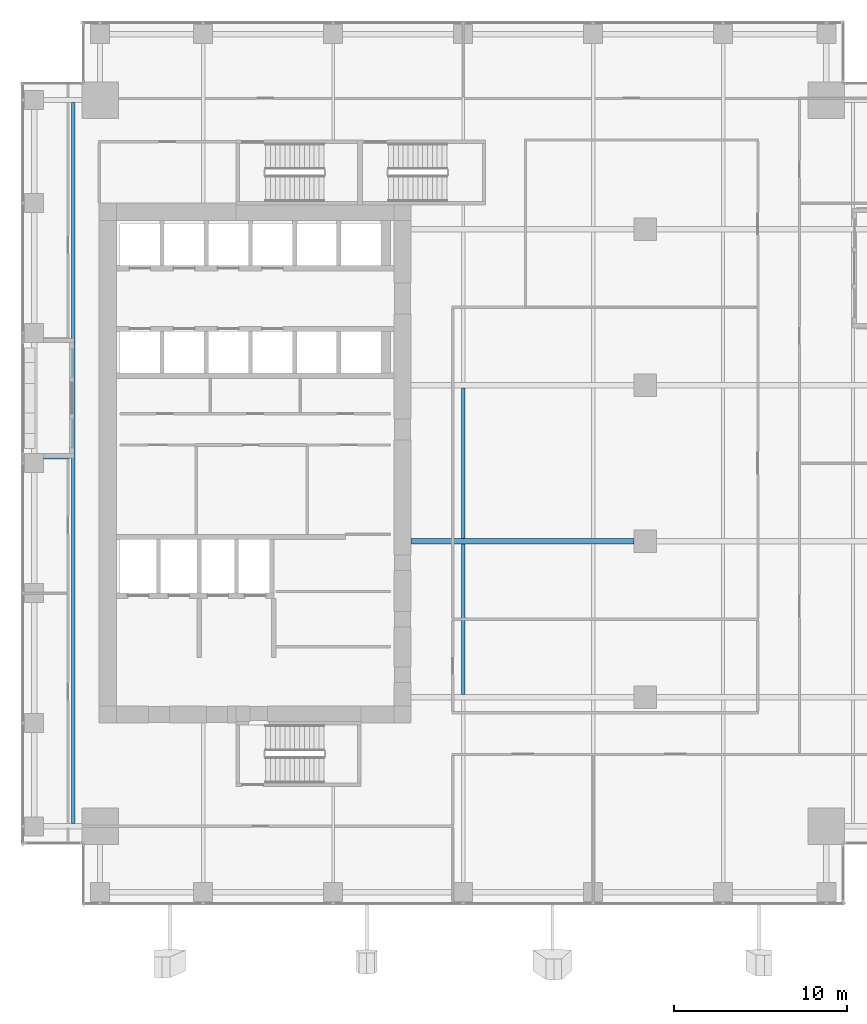
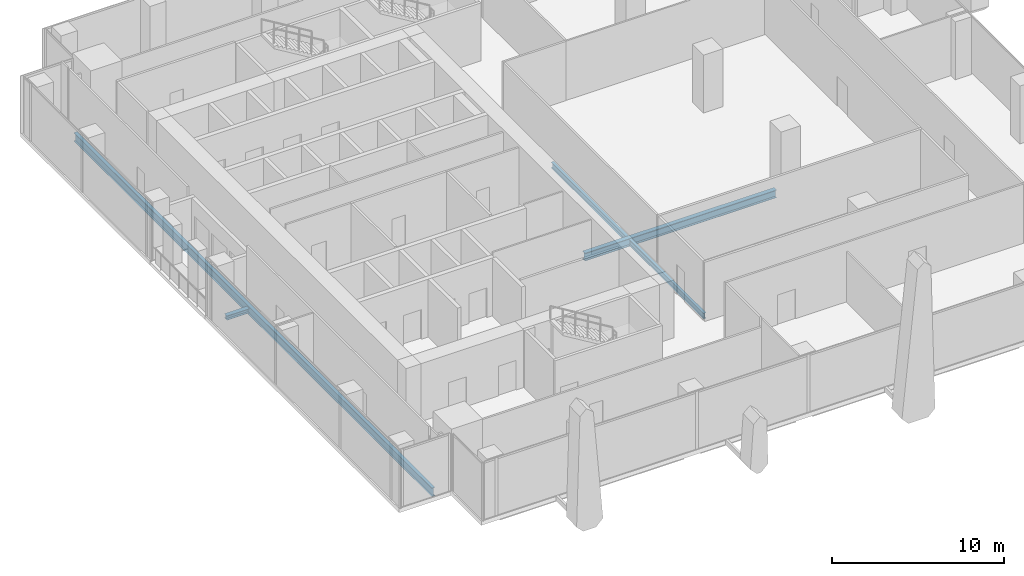
# One storey, part 8 of 35: 5 beams.
"""IFC4 building model written with IfcOpenShell, lengths in metres."""

from ifc_helpers import new_model, si_unit, direction, frame, origin, origin_2d, place, context, subcontext, project, spatial, i_section, extrude, source, transform, mapped, material, material_profile, profile_set, type_object, element, save


model = new_model("IFC4")

# Units and contexts
model_context = context("Model", 3, precision=1e-05, world=origin(), true_north=direction((0.0, 1.0)))
body_context = subcontext(model_context, "Body", "Model", "MODEL_VIEW")
ifc_project = project(units=[si_unit("LENGTHUNIT", "METRE"), si_unit("AREAUNIT", "SQUARE_METRE"), si_unit("VOLUMEUNIT", "CUBIC_METRE"), si_unit("PLANEANGLEUNIT", "RADIAN"), si_unit("MASSUNIT", "GRAM", prefix="KILO")], contexts=[model_context])

# Site, building, storey
site_placement = place(None, origin())
site = spatial("IfcSite", under=ifc_project, at=site_placement, CompositionType="ELEMENT")
building_placement = place(site_placement, origin())
building = spatial("IfcBuilding", under=site, at=building_placement, Name="Khomas Fold Tower", CompositionType="ELEMENT")
storey_placement = place(building_placement, frame((0.0, 0.0, 136.699951171875)))
storey = spatial("IfcBuildingStorey", under=building, at=storey_placement, Name="L29", CompositionType="ELEMENT", Elevation=136.699951171875)

# Beams
ifc_material_1 = material(Name="Steel S355", Category="steel")
ifc_material_profile_1 = material_profile(ifc_material_1, i_section(OverallWidth=0.179931640625, OverallDepth=0.39990234375, WebThickness=0.008544921875, FlangeThickness=0.013427734375, at=origin_2d()), Name="IPE 400")
ifc_profile_set_1 = profile_set([ifc_material_profile_1], Name="Steel S355")
beam_type_1 = type_object("IfcBeamType", Name="IPE 400 beam JB3", PredefinedType="BEAM", material=ifc_profile_set_1)
shared_shape_1 = source(origin(), body_context, "Body", "SweptSolid", [
    extrude(i_section(OverallWidth=0.179931640625, OverallDepth=0.39990234375, WebThickness=0.008544921875, FlangeThickness=0.013427734375, at=origin_2d()), origin(), (0.0, 0.0, 1.0), 8.7001953125),
])
for number, where, z_axis, x_axis, name in (
    (1, (27.0, 13.64990234375, -0.5), (0.0, 1.0, 0.0), (-1.0, 0.0, 0.0), "JB3"),
    (2, (27.0, 22.64990234375, -0.5), (0.0, 1.0, 0.0), (-1.0, 0.0, 0.0), "JB3"),
):
    element("IfcBeam", number, at=place(storey_placement, frame(where, z_axis=z_axis, x_axis=x_axis)), inside=storey, type_object=beam_type_1, Name=name, PredefinedType="BEAM", context=body_context, shape_type="MappedRepresentation", body=[
        mapped(shared_shape_1, transform((0.0, 0.0, 0.0))),
    ])
ifc_material_2 = material(Name="Steel S355", Category="steel")
ifc_material_profile_2 = material_profile(ifc_material_2, i_section(OverallWidth=0.300048828125, OverallDepth=0.550048828125, WebThickness=0.014892578125, FlangeThickness=0.029052734375, at=origin_2d()), Name="HE 550 B")
ifc_profile_set_2 = profile_set([ifc_material_profile_2], Name="Steel S355")
beam_type_2 = type_object("IfcBeamType", Name="HE 550 B beam GB4", PredefinedType="BEAM", material=ifc_profile_set_2)
shared_shape_2 = source(origin(), body_context, "Body", "SweptSolid", [
    extrude(i_section(OverallWidth=0.300048828125, OverallDepth=0.550048828125, WebThickness=0.014892578125, FlangeThickness=0.029052734375, at=origin_2d()), origin(), (0.0, 0.0, 1.0), 12.85009765625),
])
beam_1_placement = place(storey_placement, frame((24.0, 22.5, -0.574951171875), z_axis=(1.0, 0.0, 0.0), x_axis=(0.0, 1.0, 0.0)))
element("IfcBeam", 3, at=beam_1_placement, inside=storey, type_object=beam_type_2, Name="GB4", PredefinedType="BEAM", context=body_context, shape_type="MappedRepresentation", body=[
    mapped(shared_shape_2, transform((0.0, 0.0, 0.0))),
])
ifc_material_3 = material(Name="Steel S355", Category="steel")
ifc_material_profile_3 = material_profile(ifc_material_3, i_section(OverallWidth=0.219970703125, OverallDepth=0.60009765625, WebThickness=0.011962890625, FlangeThickness=0.01904296875, at=origin_2d()), Name="IPE 600")
ifc_profile_set_3 = profile_set([ifc_material_profile_3], Name="Steel S355")
beam_type_3 = type_object("IfcBeamType", Name="IPE 600 beam JB7", PredefinedType="BEAM", material=ifc_profile_set_3)
shared_shape_3 = source(origin(), body_context, "Body", "SweptSolid", [
    extrude(i_section(OverallWidth=0.219970703125, OverallDepth=0.60009765625, WebThickness=0.011962890625, FlangeThickness=0.01904296875, at=origin_2d()), origin(), (0.0, 0.0, 1.0), 41.60009765625),
])
beam_2_placement = place(storey_placement, frame((4.5, 6.199951171875, -0.599853515625), z_axis=(0.0, 1.0, 0.0), x_axis=(-1.0, 0.0, 0.0)))
element("IfcBeam", 4, at=beam_2_placement, inside=storey, type_object=beam_type_3, Name="JB7", PredefinedType="BEAM", context=body_context, shape_type="MappedRepresentation", body=[
    mapped(shared_shape_3, transform((0.0, 0.0, 0.0))),
])
ifc_material_4 = material(Name="Steel S355", Category="steel")
ifc_material_profile_4 = material_profile(ifc_material_4, i_section(OverallWidth=0.300048828125, OverallDepth=0.300048828125, WebThickness=0.010986328125, FlangeThickness=0.01904296875, at=origin_2d()), Name="HE 300 B")
ifc_profile_set_4 = profile_set([ifc_material_profile_4], Name="Steel S355")
beam_type_4 = type_object("IfcBeamType", Name="HE 300 B beam BB1", PredefinedType="BEAM", material=ifc_profile_set_4)
shared_shape_4 = source(origin(), body_context, "Body", "SweptSolid", [
    extrude(i_section(OverallWidth=0.300048828125, OverallDepth=0.300048828125, WebThickness=0.010986328125, FlangeThickness=0.01904296875, at=origin_2d()), origin(), (0.0, 0.0, 1.0), 1.5),
])
beam_3_placement = place(storey_placement, frame((2.800048828125, 27.39990234375, -0.449951171875), z_axis=(1.0, 0.0, 0.0), x_axis=(0.0, 1.0, 0.0)))
element("IfcBeam", 5, at=beam_3_placement, inside=storey, type_object=beam_type_4, Name="BB1", PredefinedType="BEAM", context=body_context, shape_type="MappedRepresentation", body=[
    mapped(shared_shape_4, transform((0.0, 0.0, 0.0))),
])

save(model, "model.ifc")
